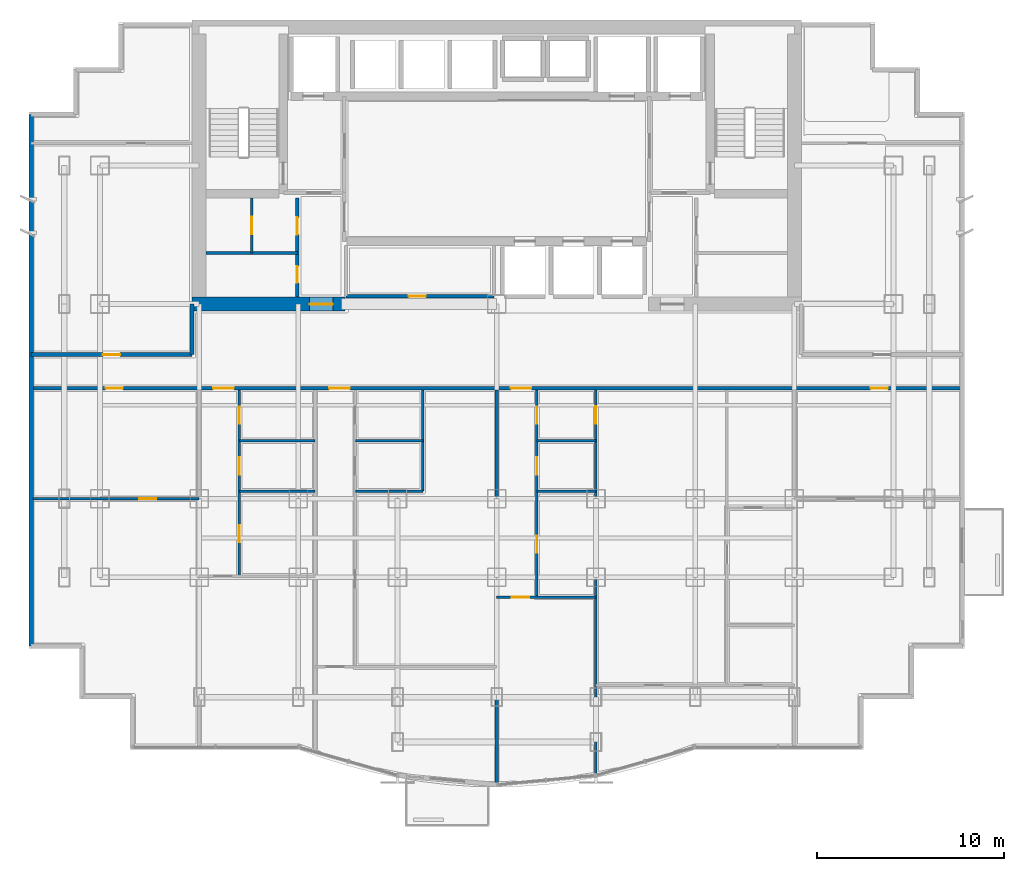
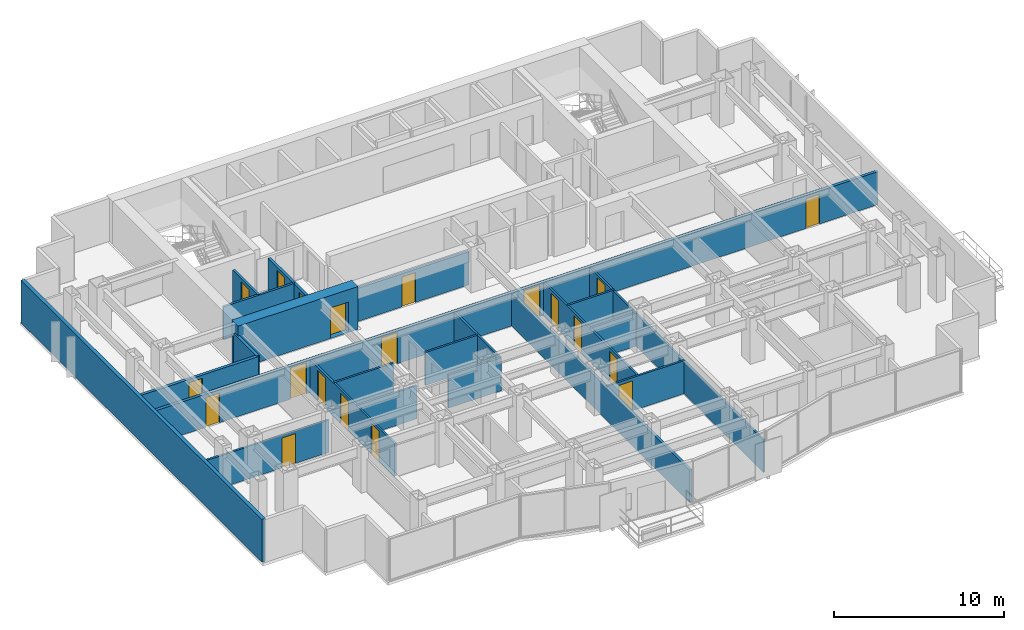
# One storey, part 5 of 10: 22 walls, 20 doors, 20 openings.
"""IFC4 building model written with IfcOpenShell, lengths in metres."""

from ifc_helpers import new_model, si_unit, direction, frame, frame_2d, origin, place, context, subcontext, project, spatial, rectangle, extrude, material, layer, layer_set, type_object, element, fill, save


model = new_model("IFC4")

# Units and contexts
model_context = context("Model", 3, precision=1e-05, world=origin(), true_north=direction((0.0, 1.0)))
body_context = subcontext(model_context, "Body", "Model", "MODEL_VIEW")
ifc_project = project(units=[si_unit("LENGTHUNIT", "METRE"), si_unit("AREAUNIT", "SQUARE_METRE"), si_unit("VOLUMEUNIT", "CUBIC_METRE"), si_unit("PLANEANGLEUNIT", "RADIAN"), si_unit("MASSUNIT", "GRAM", prefix="KILO")], contexts=[model_context])

# Site, building, storey
site_placement = place(None, origin())
site = spatial("IfcSite", under=ifc_project, at=site_placement, CompositionType="ELEMENT")
building_placement = place(site_placement, origin())
building = spatial("IfcBuilding", under=site, at=building_placement, Name="Qianlan Lanfeng Residences", CompositionType="ELEMENT")
storey_placement = place(building_placement, frame((0.0, 0.0, 88.300048828125)))
storey = spatial("IfcBuildingStorey", under=building, at=storey_placement, Name="L23", CompositionType="ELEMENT", Elevation=88.300048828125)

# Wall, opening, door
ifc_material_1 = material(Name="Concrete C60", Category="concrete")
ifc_layer_1 = layer(ifc_material_1, 0.75)
ifc_layer_set_1 = layer_set([ifc_layer_1], Name="Concrete C60")
wall_type_1 = type_object("IfcWallType", Name="CW-RC-750", PredefinedType="SHEAR", material=ifc_layer_set_1)
wall_1_placement = place(storey_placement, frame((10.22509765625, 25.199951171875, 0.0), z_axis=(0.0, 0.0, 1.0), x_axis=(1.0, 0.0, 0.0)))
wall_1 = element("IfcWall", 1, at=wall_1_placement, inside=storey, type_object=wall_type_1, Name="L23 Core Shear Wall SW", PredefinedType="SHEAR", context=body_context, shape_type="SweptSolid", body=[
    extrude(rectangle(XDim=8.1748046875, YDim=0.75, at=frame_2d((4.08740234375, 0.0))), origin(), (0.0, 0.0, 1.0), 3.08984375),
])
opening_1_placement = place(wall_1_placement, frame((6.27490234375, 0.0, 0.0)))
opening_1 = element("IfcOpeningElement", 2, at=opening_1_placement, cuts=wall_1, Name="Opening L23-D01", PredefinedType="OPENING", context=body_context, shape_type="SweptSolid", body=[
    extrude(rectangle(XDim=1.25, YDim=2.199951171875, at=frame_2d((0.625, 1.10009765625))), frame((0.0, 0.385009765625, 0.0), z_axis=(0.0, -1.0, 0.0), x_axis=(1.0, 0.0, 0.0)), (0.0, 0.0, 1.0), 0.77001953125),
])
ifc_material_2 = material(Name="Painted Galvanised Steel Fire Door", Category="steel")
door_type_1 = type_object("IfcDoorType", Name="DT-FFL", OperationType="NOTDEFINED", PredefinedType="DOOR", material=ifc_material_2)
door_1_placement = place(opening_1_placement, origin())
door_1 = element("IfcDoor", 3, at=door_1_placement, inside=storey, type_object=door_type_1, Name="L23 West Core Lobby Smoke Door L23-D01 (DT-FFL)", OperationType="SINGLE_SWING_RIGHT", OverallHeight=2.199951171875, OverallWidth=1.25, PredefinedType="DOOR", context=body_context, shape_type="SweptSolid", body=[
    extrude(rectangle(XDim=1.25, YDim=2.199951171875, at=frame_2d((0.625, 1.10009765625))), frame((0.0, 0.02490234375, 0.0), z_axis=(0.0, -1.0, 0.0), x_axis=(1.0, 0.0, 0.0)), (0.0, 0.0, 1.0), 0.050048828125),
])
fill(opening_1, door_1)

# Wall
ifc_material_3 = material(Name="Concrete C42", Category="concrete")
ifc_layer_2 = layer(ifc_material_3, 0.239990234375)
ifc_layer_set_2 = layer_set([ifc_layer_2], Name="Concrete C42")
wall_type_2 = type_object("IfcWallType", Name="EW-240", PredefinedType="SOLIDWALL", material=ifc_layer_set_2)
wall_2_placement = place(storey_placement, frame((1.6201171875, 35.330078125, 0.0), z_axis=(0.0, 0.0, 1.0), x_axis=(0.0, -1.0, 0.0)))
element("IfcWall", 4, at=wall_2_placement, inside=storey, type_object=wall_type_2, Name="L23 Exterior Facade Spandrel Wall 21", PredefinedType="SOLIDWALL", context=body_context, shape_type="SweptSolid", body=[
    extrude(rectangle(XDim=28.41015625, YDim=0.239990234375, at=frame_2d((14.205078125, 0.0))), origin(), (0.0, 0.0, 1.0), 3.08984375),
])

# Wall, openings, doors
ifc_material_4 = material(Name="Moisture-Resistant Gypsum Partition 135 mm")
ifc_layer_3 = layer(ifc_material_4, 0.135009765625)
ifc_layer_set_3 = layer_set([ifc_layer_3], Name="Moisture-Resistant Gypsum Partition 135 mm")
wall_type_3 = type_object("IfcWallType", Name="PW-135", PredefinedType="PARTITIONING", material=ifc_layer_set_3)
wall_3_placement = place(storey_placement, frame((12.75, 10.652099609375, 0.0), z_axis=(0.0, 0.0, 1.0), x_axis=(0.0, 1.0, 0.0)))
wall_3 = element("IfcWall", 5, at=wall_3_placement, inside=storey, type_object=wall_type_3, Name="L23 U01 Entry Hall Spine", PredefinedType="PARTITIONING", context=body_context, shape_type="SweptSolid", body=[
    extrude(rectangle(XDim=9.947998046875, YDim=0.135009765625, at=frame_2d((4.97412109375, 0.0))), origin(), (0.0, 0.0, 1.0), 2.3798828125),
])
opening_2_placement = place(wall_3_placement, frame((1.81396484375, 0.0, 0.0)))
opening_2 = element("IfcOpeningElement", 6, at=opening_2_placement, cuts=wall_3, Name="Opening L23-D19", PredefinedType="OPENING", context=body_context, shape_type="SweptSolid", body=[
    extrude(rectangle(XDim=0.919921875, YDim=2.14990234375, at=frame_2d((0.4599609375, 1.074951171875))), frame((0.0, 0.07763671875, 0.0), z_axis=(0.0, -1.0, 0.0), x_axis=(1.0, 0.0, 0.0)), (0.0, 0.0, 1.0), 0.155029296875),
])
opening_3_placement = place(wall_3_placement, frame((5.43798828125, 0.0, 0.0)))
opening_3 = element("IfcOpeningElement", 7, at=opening_3_placement, cuts=wall_3, Name="Opening L23-D20", PredefinedType="OPENING", context=body_context, shape_type="SweptSolid", body=[
    extrude(rectangle(XDim=0.919921875, YDim=2.14990234375, at=frame_2d((0.4599609375, 1.074951171875))), frame((0.0, 0.07763671875, 0.0), z_axis=(0.0, -1.0, 0.0), x_axis=(1.0, 0.0, 0.0)), (0.0, 0.0, 1.0), 0.155029296875),
])
opening_4_placement = place(wall_3_placement, frame((8.14794921875, 0.0, 0.0)))
opening_4 = element("IfcOpeningElement", 8, at=opening_4_placement, cuts=wall_3, Name="Opening L23-D21", PredefinedType="OPENING", context=body_context, shape_type="SweptSolid", body=[
    extrude(rectangle(XDim=0.89990234375, YDim=2.14990234375, at=frame_2d((0.449951171875, 1.074951171875))), frame((0.0, 0.07763671875, 0.0), z_axis=(0.0, -1.0, 0.0), x_axis=(1.0, 0.0, 0.0)), (0.0, 0.0, 1.0), 0.155029296875),
])
ifc_material_5 = material(Name="Glazed Timber Kitchen/Study Door", Category="wood")
door_type_2 = type_object("IfcDoorType", Name="DT-INT", OperationType="NOTDEFINED", PredefinedType="DOOR", material=ifc_material_5)
door_2_placement = place(opening_2_placement, origin())
door_2 = element("IfcDoor", 9, at=door_2_placement, inside=storey, type_object=door_type_2, Name="L23 U01 Study Door L23-D19 (DT-INT)", OperationType="SINGLE_SWING_RIGHT", OverallHeight=2.14990234375, OverallWidth=0.919921875, PredefinedType="DOOR", context=body_context, shape_type="SweptSolid", body=[
    extrude(rectangle(XDim=0.919921875, YDim=2.14990234375, at=frame_2d((0.4599609375, 1.074951171875))), frame((0.0, 0.02490234375, 0.0), z_axis=(0.0, -1.0, 0.0), x_axis=(1.0, 0.0, 0.0)), (0.0, 0.0, 1.0), 0.050048828125),
])
fill(opening_2, door_2)
door_3_placement = place(opening_3_placement, origin())
door_3 = element("IfcDoor", 10, at=door_3_placement, inside=storey, type_object=door_type_2, Name="L23 U01 Kitchen Door L23-D20 (DT-INT)", OperationType="SINGLE_SWING_LEFT", OverallHeight=2.14990234375, OverallWidth=0.919921875, PredefinedType="DOOR", context=body_context, shape_type="SweptSolid", body=[
    extrude(rectangle(XDim=0.919921875, YDim=2.14990234375, at=frame_2d((0.4599609375, 1.074951171875))), frame((0.0, 0.02490234375, 0.0), z_axis=(0.0, -1.0, 0.0), x_axis=(1.0, 0.0, 0.0)), (0.0, 0.0, 1.0), 0.050048828125),
])
fill(opening_3, door_3)
ifc_material_6 = material(Name="Moisture-Resistant Timber Leaf", Category="wood")
door_type_3 = type_object("IfcDoorType", Name="DT-WC", OperationType="NOTDEFINED", PredefinedType="DOOR", material=ifc_material_6)
door_4_placement = place(opening_4_placement, origin())
door_4 = element("IfcDoor", 11, at=door_4_placement, inside=storey, type_object=door_type_3, Name="L23 U01 Bathroom Door L23-D21 (DT-WC)", OperationType="SINGLE_SWING_RIGHT", OverallHeight=2.14990234375, OverallWidth=0.89990234375, PredefinedType="DOOR", context=body_context, shape_type="SweptSolid", body=[
    extrude(rectangle(XDim=0.89990234375, YDim=2.14990234375, at=frame_2d((0.449951171875, 1.074951171875))), frame((0.0, 0.02490234375, 0.0), z_axis=(0.0, -1.0, 0.0), x_axis=(1.0, 0.0, 0.0)), (0.0, 0.0, 1.0), 0.050048828125),
])
fill(opening_4, door_4)

# Walls
for number, where, z_axis, x_axis, name in (
    (12, (12.75, 15.199951171875, 0.0), (0.0, 0.0, 1.0), (1.0, 0.0, 0.0), "L23 U01 Kitchen South Wall"),
    (13, (12.75, 17.89990234375, 0.0), (0.0, 0.0, 1.0), (1.0, 0.0, 0.0), "L23 U01 Bathroom South Wall"),
):
    element("IfcWall", number, at=place(storey_placement, frame(where, z_axis=z_axis, x_axis=x_axis)), inside=storey, type_object=wall_type_3, Name=name, PredefinedType="PARTITIONING", context=body_context, shape_type="SweptSolid", body=[
        extrude(rectangle(XDim=4.050048828125, YDim=0.135009765625, at=frame_2d((2.02490234375, 0.0))), origin(), (0.0, 0.0, 1.0), 2.3798828125),
    ])
wall_4_placement = place(storey_placement, frame((18.949951171875, 15.199951171875, 0.0), z_axis=(0.0, 0.0, 1.0), x_axis=(1.0, 0.0, 0.0)))
element("IfcWall", 14, at=wall_4_placement, inside=storey, type_object=wall_type_3, Name="L23 U02 Kitchen South Wall", PredefinedType="PARTITIONING", context=body_context, shape_type="SweptSolid", body=[
    extrude(rectangle(XDim=3.60009765625, YDim=0.135009765625, at=frame_2d((1.800048828125, 0.0))), origin(), (0.0, 0.0, 1.0), 2.3798828125),
])
wall_5_placement = place(storey_placement, frame((22.550048828125, 15.199951171875, 0.0), z_axis=(0.0, 0.0, 1.0), x_axis=(0.0, 1.0, 0.0)))
element("IfcWall", 15, at=wall_5_placement, inside=storey, type_object=wall_type_3, Name="L23 U02 Dining East Wall", PredefinedType="PARTITIONING", context=body_context, shape_type="SweptSolid", body=[
    extrude(rectangle(XDim=5.400146484375, YDim=0.135009765625, at=frame_2d((2.7001953125, 0.0))), origin(), (0.0, 0.0, 1.0), 2.3798828125),
])
wall_6_placement = place(storey_placement, frame((18.949951171875, 17.89990234375, 0.0), z_axis=(0.0, 0.0, 1.0), x_axis=(1.0, 0.0, 0.0)))
element("IfcWall", 16, at=wall_6_placement, inside=storey, type_object=wall_type_3, Name="L23 U02 Bathroom South Wall", PredefinedType="PARTITIONING", context=body_context, shape_type="SweptSolid", body=[
    extrude(rectangle(XDim=3.60009765625, YDim=0.135009765625, at=frame_2d((1.800048828125, 0.0))), origin(), (0.0, 0.0, 1.0), 2.3798828125),
])

# Wall, opening, door
wall_7_placement = place(storey_placement, frame((31.800048828125, 0.126953125, 0.0), z_axis=(0.0, 0.0, 1.0), x_axis=(0.0, 1.0, 0.0)))
wall_7 = element("IfcWall", 17, at=wall_7_placement, inside=storey, type_object=wall_type_3, Name="L23 U03 Bay Spine Wall 1", PredefinedType="PARTITIONING", context=body_context, shape_type="SweptSolid", body=[
    extrude(rectangle(XDim=20.47314453125, YDim=0.135009765625, at=frame_2d((10.236572265625, 0.0))), origin(), (0.0, 0.0, 1.0), 2.3349609375),
])
opening_5_placement = place(wall_7_placement, frame((18.68798828125, 0.0, 0.0)))
opening_5 = element("IfcOpeningElement", 18, at=opening_5_placement, cuts=wall_7, Name="Opening L23-D28", PredefinedType="OPENING", context=body_context, shape_type="SweptSolid", body=[
    extrude(rectangle(XDim=0.919921875, YDim=2.14990234375, at=frame_2d((0.4599609375, 1.074951171875))), frame((0.0, 0.07763671875, 0.0), z_axis=(0.0, -1.0, 0.0), x_axis=(1.0, 0.0, 0.0)), (0.0, 0.0, 1.0), 0.155029296875),
])
door_5_placement = place(opening_5_placement, origin())
door_5 = element("IfcDoor", 19, at=door_5_placement, inside=storey, type_object=door_type_2, Name="L23 U03 Internal Hall Door L23-D28 (DT-INT)", OperationType="SINGLE_SWING_LEFT", OverallHeight=2.14990234375, OverallWidth=0.919921875, PredefinedType="DOOR", context=body_context, shape_type="SweptSolid", body=[
    extrude(rectangle(XDim=0.919921875, YDim=2.14990234375, at=frame_2d((0.4599609375, 1.074951171875))), frame((0.0, 0.02490234375, 0.0), z_axis=(0.0, -1.0, 0.0), x_axis=(1.0, 0.0, 0.0)), (0.0, 0.0, 1.0), 0.050048828125),
])
fill(opening_5, door_5)

wall_8_placement = place(storey_placement, frame((26.5, 9.547119140625, 0.0), z_axis=(0.0, 0.0, 1.0), x_axis=(1.0, 0.0, 0.0)))
wall_8 = element("IfcWall", 20, at=wall_8_placement, inside=storey, type_object=wall_type_3, Name="L23 U03 Living Divider", PredefinedType="PARTITIONING", context=body_context, shape_type="SweptSolid", body=[
    extrude(rectangle(XDim=5.300048828125, YDim=0.135009765625, at=frame_2d((2.64990234375, 0.0))), origin(), (0.0, 0.0, 1.0), 2.3798828125),
])
opening_6_placement = place(wall_8_placement, frame((0.81494140625, 0.0, 0.0)))
opening_6 = element("IfcOpeningElement", 21, at=opening_6_placement, cuts=wall_8, Name="Opening L23-D29", PredefinedType="OPENING", context=body_context, shape_type="SweptSolid", body=[
    extrude(rectangle(XDim=0.919921875, YDim=2.14990234375, at=frame_2d((0.4599609375, 1.074951171875))), frame((0.0, 0.07763671875, 0.0), z_axis=(0.0, -1.0, 0.0), x_axis=(1.0, 0.0, 0.0)), (0.0, 0.0, 1.0), 0.155029296875),
])
door_6_placement = place(opening_6_placement, frame((0.919921875, 0.0, 0.0), z_axis=(0.0, 0.0, 1.0), x_axis=(-1.0, 0.0, 0.0)))
door_6 = element("IfcDoor", 22, at=door_6_placement, inside=storey, type_object=door_type_2, Name="L23 U03 Living Passage Door L23-D29 (DT-INT)", OperationType="SINGLE_SWING_LEFT", OverallHeight=2.14990234375, OverallWidth=0.919921875, PredefinedType="DOOR", context=body_context, shape_type="SweptSolid", body=[
    extrude(rectangle(XDim=0.919921875, YDim=2.14990234375, at=frame_2d((0.4599609375, 1.074951171875))), frame((0.0, 0.02490234375, 0.0), z_axis=(0.0, -1.0, 0.0), x_axis=(1.0, 0.0, 0.0)), (0.0, 0.0, 1.0), 0.050048828125),
])
fill(opening_6, door_6)

# Wall, openings, doors
wall_9_placement = place(storey_placement, frame((28.64990234375, 9.547119140625, 0.0), z_axis=(0.0, 0.0, 1.0), x_axis=(0.0, 1.0, 0.0)))
wall_9 = element("IfcWall", 23, at=wall_9_placement, inside=storey, type_object=wall_type_3, Name="L23 U03 Entry Hall Spine", PredefinedType="PARTITIONING", context=body_context, shape_type="SweptSolid", body=[
    extrude(rectangle(XDim=11.052978515625, YDim=0.135009765625, at=frame_2d((5.5263671875, 0.0))), origin(), (0.0, 0.0, 1.0), 2.3798828125),
])
opening_7_placement = place(wall_9_placement, frame((2.365966796875, 0.0, 0.0)))
opening_7 = element("IfcOpeningElement", 24, at=opening_7_placement, cuts=wall_9, Name="Opening L23-D30", PredefinedType="OPENING", context=body_context, shape_type="SweptSolid", body=[
    extrude(rectangle(XDim=0.919921875, YDim=2.14990234375, at=frame_2d((0.4599609375, 1.074951171875))), frame((0.0, 0.07763671875, 0.0), z_axis=(0.0, -1.0, 0.0), x_axis=(1.0, 0.0, 0.0)), (0.0, 0.0, 1.0), 0.155029296875),
])
opening_8_placement = place(wall_9_placement, frame((6.54296875, 0.0, 0.0)))
opening_8 = element("IfcOpeningElement", 25, at=opening_8_placement, cuts=wall_9, Name="Opening L23-D31", PredefinedType="OPENING", context=body_context, shape_type="SweptSolid", body=[
    extrude(rectangle(XDim=0.919921875, YDim=2.14990234375, at=frame_2d((0.4599609375, 1.074951171875))), frame((0.0, 0.07763671875, 0.0), z_axis=(0.0, -1.0, 0.0), x_axis=(1.0, 0.0, 0.0)), (0.0, 0.0, 1.0), 0.155029296875),
])
opening_9_placement = place(wall_9_placement, frame((9.2529296875, 0.0, 0.0)))
opening_9 = element("IfcOpeningElement", 26, at=opening_9_placement, cuts=wall_9, Name="Opening L23-D32", PredefinedType="OPENING", context=body_context, shape_type="SweptSolid", body=[
    extrude(rectangle(XDim=0.89990234375, YDim=2.14990234375, at=frame_2d((0.449951171875, 1.074951171875))), frame((0.0, 0.07763671875, 0.0), z_axis=(0.0, -1.0, 0.0), x_axis=(1.0, 0.0, 0.0)), (0.0, 0.0, 1.0), 0.155029296875),
])
door_7_placement = place(opening_7_placement, origin())
door_7 = element("IfcDoor", 27, at=door_7_placement, inside=storey, type_object=door_type_2, Name="L23 U03 Study Door L23-D30 (DT-INT)", OperationType="SINGLE_SWING_LEFT", OverallHeight=2.14990234375, OverallWidth=0.919921875, PredefinedType="DOOR", context=body_context, shape_type="SweptSolid", body=[
    extrude(rectangle(XDim=0.919921875, YDim=2.14990234375, at=frame_2d((0.4599609375, 1.074951171875))), frame((0.0, 0.02490234375, 0.0), z_axis=(0.0, -1.0, 0.0), x_axis=(1.0, 0.0, 0.0)), (0.0, 0.0, 1.0), 0.050048828125),
])
fill(opening_7, door_7)
door_8_placement = place(opening_8_placement, origin())
door_8 = element("IfcDoor", 28, at=door_8_placement, inside=storey, type_object=door_type_2, Name="L23 U03 Kitchen Door L23-D31 (DT-INT)", OperationType="SINGLE_SWING_RIGHT", OverallHeight=2.14990234375, OverallWidth=0.919921875, PredefinedType="DOOR", context=body_context, shape_type="SweptSolid", body=[
    extrude(rectangle(XDim=0.919921875, YDim=2.14990234375, at=frame_2d((0.4599609375, 1.074951171875))), frame((0.0, 0.02490234375, 0.0), z_axis=(0.0, -1.0, 0.0), x_axis=(1.0, 0.0, 0.0)), (0.0, 0.0, 1.0), 0.050048828125),
])
fill(opening_8, door_8)
door_9_placement = place(opening_9_placement, origin())
door_9 = element("IfcDoor", 29, at=door_9_placement, inside=storey, type_object=door_type_3, Name="L23 U03 Bathroom Door L23-D32 (DT-WC)", OperationType="SINGLE_SWING_LEFT", OverallHeight=2.14990234375, OverallWidth=0.89990234375, PredefinedType="DOOR", context=body_context, shape_type="SweptSolid", body=[
    extrude(rectangle(XDim=0.89990234375, YDim=2.14990234375, at=frame_2d((0.449951171875, 1.074951171875))), frame((0.0, 0.02490234375, 0.0), z_axis=(0.0, -1.0, 0.0), x_axis=(1.0, 0.0, 0.0)), (0.0, 0.0, 1.0), 0.050048828125),
])
fill(opening_9, door_9)

# Walls
for number, where, z_axis, x_axis, name in (
    (30, (28.64990234375, 15.199951171875, 0.0), (0.0, 0.0, 1.0), (1.0, 0.0, 0.0), "L23 U03 Kitchen South Wall"),
    (31, (28.64990234375, 17.89990234375, 0.0), (0.0, 0.0, 1.0), (1.0, 0.0, 0.0), "L23 U03 Bathroom South Wall"),
):
    element("IfcWall", number, at=place(storey_placement, frame(where, z_axis=z_axis, x_axis=x_axis)), inside=storey, type_object=wall_type_3, Name=name, PredefinedType="PARTITIONING", context=body_context, shape_type="SweptSolid", body=[
        extrude(rectangle(XDim=3.150146484375, YDim=0.135009765625, at=frame_2d((1.5751953125, 0.0))), origin(), (0.0, 0.0, 1.0), 2.3798828125),
    ])

# Wall, opening, door
wall_10_placement = place(storey_placement, frame((1.719970703125, 14.800048828125, 0.0), z_axis=(0.0, 0.0, 1.0), x_axis=(1.0, 0.0, 0.0)))
wall_10 = element("IfcWall", 32, at=wall_10_placement, inside=storey, type_object=wall_type_3, Name="L23 SWP Mid Partition", PredefinedType="PARTITIONING", context=body_context, shape_type="SweptSolid", body=[
    extrude(rectangle(XDim=8.880126953125, YDim=0.135009765625, at=frame_2d((4.43994140625, 0.0))), origin(), (0.0, 0.0, 1.0), 2.3349609375),
])
opening_10_placement = place(wall_10_placement, frame((5.679931640625, 0.0, 0.0)))
opening_10 = element("IfcOpeningElement", 33, at=opening_10_placement, cuts=wall_10, Name="Opening L23-D37", PredefinedType="OPENING", context=body_context, shape_type="SweptSolid", body=[
    extrude(rectangle(XDim=0.919921875, YDim=2.14990234375, at=frame_2d((0.4599609375, 1.074951171875))), frame((0.0, 0.07763671875, 0.0), z_axis=(0.0, -1.0, 0.0), x_axis=(1.0, 0.0, 0.0)), (0.0, 0.0, 1.0), 0.155029296875),
])
door_10_placement = place(opening_10_placement, origin())
door_10 = element("IfcDoor", 34, at=door_10_placement, inside=storey, type_object=door_type_2, Name="L23 SWP Inner Door L23-D37 (DT-INT)", OperationType="SINGLE_SWING_RIGHT", OverallHeight=2.14990234375, OverallWidth=0.919921875, PredefinedType="DOOR", context=body_context, shape_type="SweptSolid", body=[
    extrude(rectangle(XDim=0.919921875, YDim=2.14990234375, at=frame_2d((0.4599609375, 1.074951171875))), frame((0.0, 0.02490234375, 0.0), z_axis=(0.0, -1.0, 0.0), x_axis=(1.0, 0.0, 0.0)), (0.0, 0.0, 1.0), 0.050048828125),
])
fill(opening_10, door_10)

# Wall
ifc_material_7 = material(Name="Acoustic Drywall Partition 150 mm")
ifc_layer_4 = layer(ifc_material_7, 0.14990234375)
ifc_layer_set_4 = layer_set([ifc_layer_4], Name="Acoustic Drywall Partition 150 mm")
wall_type_4 = type_object("IfcWallType", Name="PW-150", PredefinedType="PARTITIONING", material=ifc_layer_set_4)
wall_11_placement = place(storey_placement, frame((10.97509765625, 27.925048828125, 0.0), z_axis=(0.0, 0.0, 1.0), x_axis=(1.0, 0.0, 0.0)))
element("IfcWall", 35, at=wall_11_placement, inside=storey, type_object=wall_type_4, Name="L23 Core West H4", PredefinedType="PARTITIONING", context=body_context, shape_type="SweptSolid", body=[
    extrude(rectangle(XDim=4.875, YDim=0.14990234375, at=frame_2d((2.4375, 0.0))), origin(), (0.0, 0.0, 1.0), 2.3798828125),
])

# Wall, opening, door
wall_12_placement = place(storey_placement, frame((13.412109375, 27.925048828125, 0.0), z_axis=(0.0, 0.0, 1.0), x_axis=(0.0, 1.0, 0.0)))
wall_12 = element("IfcWall", 36, at=wall_12_placement, inside=storey, type_object=wall_type_4, Name="L23 Core West V4", PredefinedType="PARTITIONING", context=body_context, shape_type="SweptSolid", body=[
    extrude(rectangle(XDim=2.949951171875, YDim=0.14990234375, at=frame_2d((1.47509765625, 0.0))), origin(), (0.0, 0.0, 1.0), 2.3798828125),
])
opening_11_placement = place(wall_12_placement, frame((1.014892578125, 0.0, 0.0)))
opening_11 = element("IfcOpeningElement", 37, at=opening_11_placement, cuts=wall_12, Name="Opening L23-D11", PredefinedType="OPENING", context=body_context, shape_type="SweptSolid", body=[
    extrude(rectangle(XDim=0.919921875, YDim=2.14990234375, at=frame_2d((0.4599609375, 1.074951171875))), frame((0.0, 0.0849609375, 0.0), z_axis=(0.0, -1.0, 0.0), x_axis=(1.0, 0.0, 0.0)), (0.0, 0.0, 1.0), 0.169921875),
])
door_11_placement = place(opening_11_placement, origin())
door_11 = element("IfcDoor", 38, at=door_11_placement, inside=storey, type_object=door_type_2, Name="L23 Linen Store Door L23-D11 (DT-INT)", OperationType="SINGLE_SWING_RIGHT", OverallHeight=2.14990234375, OverallWidth=0.919921875, PredefinedType="DOOR", context=body_context, shape_type="SweptSolid", body=[
    extrude(rectangle(XDim=0.919921875, YDim=2.14990234375, at=frame_2d((0.4599609375, 1.074951171875))), frame((0.0, 0.02490234375, 0.0), z_axis=(0.0, -1.0, 0.0), x_axis=(1.0, 0.0, 0.0)), (0.0, 0.0, 1.0), 0.050048828125),
])
fill(opening_11, door_11)

# Wall, openings, doors
ifc_material_8 = material(Name="Double-Layer Acoustic Gypsum Stud Wall 180 mm")
ifc_layer_5 = layer(ifc_material_8, 0.179931640625)
ifc_layer_set_5 = layer_set([ifc_layer_5], Name="Double-Layer Acoustic Gypsum Stud Wall 180 mm")
wall_type_5 = type_object("IfcWallType", Name="PW-180", PredefinedType="PARTITIONING", material=ifc_layer_set_5)
wall_13_placement = place(storey_placement, frame((15.85009765625, 25.574951171875, 0.0), z_axis=(0.0, 0.0, 1.0), x_axis=(0.0, 1.0, 0.0)))
wall_13 = element("IfcWall", 39, at=wall_13_placement, inside=storey, type_object=wall_type_5, Name="L23 Core West Service Room Wall", PredefinedType="PARTITIONING", context=body_context, shape_type="SweptSolid", body=[
    extrude(rectangle(XDim=5.300048828125, YDim=0.179931640625, at=frame_2d((2.64990234375, 0.0))), origin(), (0.0, 0.0, 1.0), 2.3798828125),
])
opening_12_placement = place(wall_13_placement, frame((0.75, 0.0, 0.0)))
opening_12 = element("IfcOpeningElement", 40, at=opening_12_placement, cuts=wall_13, Name="Opening L23-D09", PredefinedType="OPENING", context=body_context, shape_type="SweptSolid", body=[
    extrude(rectangle(XDim=0.89990234375, YDim=2.14990234375, at=frame_2d((0.449951171875, 1.074951171875))), frame((0.0, 0.10009765625, 0.0), z_axis=(0.0, -1.0, 0.0), x_axis=(1.0, 0.0, 0.0)), (0.0, 0.0, 1.0), 0.199951171875),
])
opening_13_placement = place(wall_13_placement, frame((3.340087890625, 0.0, 0.0)))
opening_13 = element("IfcOpeningElement", 41, at=opening_13_placement, cuts=wall_13, Name="Opening L23-D10", PredefinedType="OPENING", context=body_context, shape_type="SweptSolid", body=[
    extrude(rectangle(XDim=0.919921875, YDim=2.14990234375, at=frame_2d((0.4599609375, 1.074951171875))), frame((0.0, 0.10009765625, 0.0), z_axis=(0.0, -1.0, 0.0), x_axis=(1.0, 0.0, 0.0)), (0.0, 0.0, 1.0), 0.199951171875),
])
door_12_placement = place(opening_13_placement, origin())
door_12 = element("IfcDoor", 42, at=door_12_placement, inside=storey, type_object=door_type_2, Name="L23 Janitor Hall Door L23-D10 (DT-INT)", OperationType="SINGLE_SWING_LEFT", OverallHeight=2.14990234375, OverallWidth=0.919921875, PredefinedType="DOOR", context=body_context, shape_type="SweptSolid", body=[
    extrude(rectangle(XDim=0.919921875, YDim=2.14990234375, at=frame_2d((0.4599609375, 1.074951171875))), frame((0.0, 0.02490234375, 0.0), z_axis=(0.0, -1.0, 0.0), x_axis=(1.0, 0.0, 0.0)), (0.0, 0.0, 1.0), 0.050048828125),
])
fill(opening_13, door_12)
door_13_placement = place(opening_12_placement, origin())
door_13 = element("IfcDoor", 43, at=door_13_placement, inside=storey, type_object=door_type_3, Name="L23 Staff WC Door L23-D09 (DT-WC)", OperationType="SINGLE_SWING_LEFT", OverallHeight=2.14990234375, OverallWidth=0.89990234375, PredefinedType="DOOR", context=body_context, shape_type="SweptSolid", body=[
    extrude(rectangle(XDim=0.89990234375, YDim=2.14990234375, at=frame_2d((0.449951171875, 1.074951171875))), frame((0.0, 0.02490234375, 0.0), z_axis=(0.0, -1.0, 0.0), x_axis=(1.0, 0.0, 0.0)), (0.0, 0.0, 1.0), 0.050048828125),
])
fill(opening_12, door_13)

# Wall, opening, door
wall_14_placement = place(storey_placement, frame((18.449951171875, 25.6201171875, 0.0), z_axis=(0.0, 0.0, 1.0), x_axis=(1.0, 0.0, 0.0)))
wall_14 = element("IfcWall", 44, at=wall_14_placement, inside=storey, type_object=wall_type_5, Name="L23 Reclaimed Low-Bank Room South Wall", PredefinedType="PARTITIONING", context=body_context, shape_type="SweptSolid", body=[
    extrude(rectangle(XDim=7.900146484375, YDim=0.179931640625, at=frame_2d((3.9501953125, 0.0))), origin(), (0.0, 0.0, 1.0), 2.3798828125),
])
opening_14_placement = place(wall_14_placement, frame((3.340087890625, 0.0, 0.0)))
opening_14 = element("IfcOpeningElement", 45, at=opening_14_placement, cuts=wall_14, Name="Opening L23-D16", PredefinedType="OPENING", context=body_context, shape_type="SweptSolid", body=[
    extrude(rectangle(XDim=0.919921875, YDim=2.14990234375, at=frame_2d((0.4599609375, 1.074951171875))), frame((0.0, 0.10009765625, 0.0), z_axis=(0.0, -1.0, 0.0), x_axis=(1.0, 0.0, 0.0)), (0.0, 0.0, 1.0), 0.199951171875),
])
door_14_placement = place(opening_14_placement, origin())
door_14 = element("IfcDoor", 46, at=door_14_placement, inside=storey, type_object=door_type_2, Name="L23 Reclaimed Core Salon Door L23-D16 (DT-INT)", OperationType="SINGLE_SWING_LEFT", OverallHeight=2.14990234375, OverallWidth=0.919921875, PredefinedType="DOOR", context=body_context, shape_type="SweptSolid", body=[
    extrude(rectangle(XDim=0.919921875, YDim=2.14990234375, at=frame_2d((0.4599609375, 1.074951171875))), frame((0.0, 0.02490234375, 0.0), z_axis=(0.0, -1.0, 0.0), x_axis=(1.0, 0.0, 0.0)), (0.0, 0.0, 1.0), 0.050048828125),
])
fill(opening_14, door_14)

# Wall
wall_15_placement = place(storey_placement, frame((26.5, -0.3798828125, 0.0), z_axis=(0.0, 0.0, 1.0), x_axis=(0.0, 1.0, 0.0)))
element("IfcWall", 47, at=wall_15_placement, inside=storey, type_object=wall_type_5, Name="L23 Inter-Tenancy Party Wall 3", PredefinedType="PARTITIONING", context=body_context, shape_type="SweptSolid", body=[
    extrude(rectangle(XDim=20.97998046875, YDim=0.179931640625, at=frame_2d((10.489990234375, 0.0))), origin(), (0.0, 0.0, 1.0), 2.3349609375),
])

# Wall, openings, doors
ifc_material_9 = material(Name="Autoclaved Aerated Concrete Blockwork 200 mm", Category="masonry")
ifc_layer_6 = layer(ifc_material_9, 0.199951171875)
ifc_layer_set_6 = layer_set([ifc_layer_6], Name="Autoclaved Aerated Concrete Blockwork 200 mm")
wall_type_6 = type_object("IfcWallType", Name="PW-200", PredefinedType="PARTITIONING", material=ifc_layer_set_6)
wall_16_placement = place(storey_placement, frame((1.6201171875, 20.699951171875, 0.0), z_axis=(0.0, 0.0, 1.0), x_axis=(1.0, 0.0, 0.0)))
wall_16 = element("IfcWall", 48, at=wall_16_placement, inside=storey, type_object=wall_type_6, Name="L23 Residential Corridor South Fire Wall", PredefinedType="PARTITIONING", context=body_context, shape_type="SweptSolid", body=[
    extrude(rectangle(XDim=49.759765625, YDim=0.199951171875, at=frame_2d((24.8798828125, 0.0))), origin(), (0.0, 0.0, 1.0), 2.3798828125),
])
opening_15_placement = place(wall_16_placement, frame((9.72998046875, 0.0, 0.0)))
opening_15 = element("IfcOpeningElement", 49, at=opening_15_placement, cuts=wall_16, Name="Opening L23-D17", PredefinedType="OPENING", context=body_context, shape_type="SweptSolid", body=[
    extrude(rectangle(XDim=1.10009765625, YDim=2.25, at=frame_2d((0.550048828125, 1.125))), frame((0.0, 0.10986328125, 0.0), z_axis=(0.0, -1.0, 0.0), x_axis=(1.0, 0.0, 0.0)), (0.0, 0.0, 1.0), 0.219970703125),
])
opening_16_placement = place(wall_16_placement, frame((15.929931640625, 0.0, 0.0)))
opening_16 = element("IfcOpeningElement", 50, at=opening_16_placement, cuts=wall_16, Name="Opening L23-D22", PredefinedType="OPENING", context=body_context, shape_type="SweptSolid", body=[
    extrude(rectangle(XDim=1.10009765625, YDim=2.25, at=frame_2d((0.550048828125, 1.125))), frame((0.0, 0.10986328125, 0.0), z_axis=(0.0, -1.0, 0.0), x_axis=(1.0, 0.0, 0.0)), (0.0, 0.0, 1.0), 0.219970703125),
])
opening_17_placement = place(wall_16_placement, frame((25.6298828125, 0.0, 0.0)))
opening_17 = element("IfcOpeningElement", 51, at=opening_17_placement, cuts=wall_16, Name="Opening L23-D27", PredefinedType="OPENING", context=body_context, shape_type="SweptSolid", body=[
    extrude(rectangle(XDim=1.10009765625, YDim=2.25, at=frame_2d((0.550048828125, 1.125))), frame((0.0, 0.10986328125, 0.0), z_axis=(0.0, -1.0, 0.0), x_axis=(1.0, 0.0, 0.0)), (0.0, 0.0, 1.0), 0.219970703125),
])
opening_18_placement = place(wall_16_placement, frame((3.985107421875, 0.0, 0.0)))
opening_18 = element("IfcOpeningElement", 52, at=opening_18_placement, cuts=wall_16, Name="Opening L23-D38", PredefinedType="OPENING", context=body_context, shape_type="SweptSolid", body=[
    extrude(rectangle(XDim=0.919921875, YDim=2.14990234375, at=frame_2d((0.4599609375, 1.074951171875))), frame((0.0, 0.10986328125, 0.0), z_axis=(0.0, -1.0, 0.0), x_axis=(1.0, 0.0, 0.0)), (0.0, 0.0, 1.0), 0.219970703125),
])
opening_19_placement = place(wall_16_placement, frame((44.85498046875, 0.0, 0.0)))
opening_19 = element("IfcOpeningElement", 53, at=opening_19_placement, cuts=wall_16, Name="Opening L23-D40", PredefinedType="OPENING", context=body_context, shape_type="SweptSolid", body=[
    extrude(rectangle(XDim=0.919921875, YDim=2.14990234375, at=frame_2d((0.4599609375, 1.074951171875))), frame((0.0, 0.10986328125, 0.0), z_axis=(0.0, -1.0, 0.0), x_axis=(1.0, 0.0, 0.0)), (0.0, 0.0, 1.0), 0.219970703125),
])
door_15_placement = place(opening_18_placement, origin())
door_15 = element("IfcDoor", 54, at=door_15_placement, inside=storey, type_object=door_type_2, Name="L23 SWP Corridor Door L23-D38 (DT-INT)", OperationType="SINGLE_SWING_LEFT", OverallHeight=2.14990234375, OverallWidth=0.919921875, PredefinedType="DOOR", context=body_context, shape_type="SweptSolid", body=[
    extrude(rectangle(XDim=0.919921875, YDim=2.14990234375, at=frame_2d((0.4599609375, 1.074951171875))), frame((0.0, 0.02490234375, 0.0), z_axis=(0.0, -1.0, 0.0), x_axis=(1.0, 0.0, 0.0)), (0.0, 0.0, 1.0), 0.050048828125),
])
fill(opening_18, door_15)
door_16_placement = place(opening_19_placement, origin())
door_16 = element("IfcDoor", 55, at=door_16_placement, inside=storey, type_object=door_type_2, Name="L23 SEP Corridor Door L23-D40 (DT-INT)", OperationType="SINGLE_SWING_LEFT", OverallHeight=2.14990234375, OverallWidth=0.919921875, PredefinedType="DOOR", context=body_context, shape_type="SweptSolid", body=[
    extrude(rectangle(XDim=0.919921875, YDim=2.14990234375, at=frame_2d((0.4599609375, 1.074951171875))), frame((0.0, 0.02490234375, 0.0), z_axis=(0.0, -1.0, 0.0), x_axis=(1.0, 0.0, 0.0)), (0.0, 0.0, 1.0), 0.050048828125),
])
fill(opening_19, door_16)
ifc_material_10 = material(Name="Solid-Core Oak Veneer Fire Door")
door_type_4 = type_object("IfcDoorType", Name="DT-UNIT", OperationType="NOTDEFINED", PredefinedType="DOOR", material=ifc_material_10)
door_17_placement = place(opening_15_placement, origin())
door_17 = element("IfcDoor", 56, at=door_17_placement, inside=storey, type_object=door_type_4, Name="L23 Apartment U01 Entrance Door L23-D17 (DT-UNIT)", OperationType="SINGLE_SWING_RIGHT", OverallHeight=2.25, OverallWidth=1.10009765625, PredefinedType="DOOR", context=body_context, shape_type="SweptSolid", body=[
    extrude(rectangle(XDim=1.10009765625, YDim=2.25, at=frame_2d((0.550048828125, 1.125))), frame((0.0, 0.02490234375, 0.0), z_axis=(0.0, -1.0, 0.0), x_axis=(1.0, 0.0, 0.0)), (0.0, 0.0, 1.0), 0.050048828125),
])
fill(opening_15, door_17)
door_18_placement = place(opening_16_placement, origin())
door_18 = element("IfcDoor", 57, at=door_18_placement, inside=storey, type_object=door_type_4, Name="L23 Apartment U02 Entrance Door L23-D22 (DT-UNIT)", OperationType="SINGLE_SWING_RIGHT", OverallHeight=2.25, OverallWidth=1.10009765625, PredefinedType="DOOR", context=body_context, shape_type="SweptSolid", body=[
    extrude(rectangle(XDim=1.10009765625, YDim=2.25, at=frame_2d((0.550048828125, 1.125))), frame((0.0, 0.02490234375, 0.0), z_axis=(0.0, -1.0, 0.0), x_axis=(1.0, 0.0, 0.0)), (0.0, 0.0, 1.0), 0.050048828125),
])
fill(opening_16, door_18)
door_19_placement = place(opening_17_placement, origin())
door_19 = element("IfcDoor", 58, at=door_19_placement, inside=storey, type_object=door_type_4, Name="L23 Apartment U03 Entrance Door L23-D27 (DT-UNIT)", OperationType="SINGLE_SWING_RIGHT", OverallHeight=2.25, OverallWidth=1.10009765625, PredefinedType="DOOR", context=body_context, shape_type="SweptSolid", body=[
    extrude(rectangle(XDim=1.10009765625, YDim=2.25, at=frame_2d((0.550048828125, 1.125))), frame((0.0, 0.02490234375, 0.0), z_axis=(0.0, -1.0, 0.0), x_axis=(1.0, 0.0, 0.0)), (0.0, 0.0, 1.0), 0.050048828125),
])
fill(opening_17, door_19)

# Wall, opening, door
wall_17_placement = place(storey_placement, frame((1.6201171875, 22.5, 0.0), z_axis=(0.0, 0.0, 1.0), x_axis=(1.0, 0.0, 0.0)))
wall_17 = element("IfcWall", 59, at=wall_17_placement, inside=storey, type_object=wall_type_6, Name="L23 Corridor NW Wall", PredefinedType="PARTITIONING", context=body_context, shape_type="SweptSolid", body=[
    extrude(rectangle(XDim=8.60498046875, YDim=0.199951171875, at=frame_2d((4.302490234375, 0.0))), origin(), (0.0, 0.0, 1.0), 2.3798828125),
])
opening_20_placement = place(wall_17_placement, frame((3.842041015625, 0.0, 0.0)))
opening_20 = element("IfcOpeningElement", 60, at=opening_20_placement, cuts=wall_17, Name="Opening L23-D42", PredefinedType="OPENING", context=body_context, shape_type="SweptSolid", body=[
    extrude(rectangle(XDim=0.919921875, YDim=2.14990234375, at=frame_2d((0.4599609375, 1.074951171875))), frame((0.0, 0.10986328125, 0.0), z_axis=(0.0, -1.0, 0.0), x_axis=(1.0, 0.0, 0.0)), (0.0, 0.0, 1.0), 0.219970703125),
])
door_20_placement = place(opening_20_placement, origin())
door_20 = element("IfcDoor", 61, at=door_20_placement, inside=storey, type_object=door_type_2, Name="L23 WW Amenity Salon Door L23-D42 (DT-INT)", OperationType="SINGLE_SWING_LEFT", OverallHeight=2.14990234375, OverallWidth=0.919921875, PredefinedType="DOOR", context=body_context, shape_type="SweptSolid", body=[
    extrude(rectangle(XDim=0.919921875, YDim=2.14990234375, at=frame_2d((0.4599609375, 1.074951171875))), frame((0.0, 0.02490234375, 0.0), z_axis=(0.0, -1.0, 0.0), x_axis=(1.0, 0.0, 0.0)), (0.0, 0.0, 1.0), 0.050048828125),
])
fill(opening_20, door_20)

# Wall
wall_18_placement = place(storey_placement, frame((10.22509765625, 22.5, 0.0), z_axis=(0.0, 0.0, 1.0), x_axis=(0.0, 1.0, 0.0)))
element("IfcWall", 62, at=wall_18_placement, inside=storey, type_object=wall_type_6, Name="L23 NW Wing Core Return Wall", PredefinedType="PARTITIONING", context=body_context, shape_type="SweptSolid", body=[
    extrude(rectangle(XDim=2.699951171875, YDim=0.199951171875, at=frame_2d((1.35009765625, 0.0))), origin(), (0.0, 0.0, 1.0), 2.3798828125),
])

save(model, "model.ifc")
